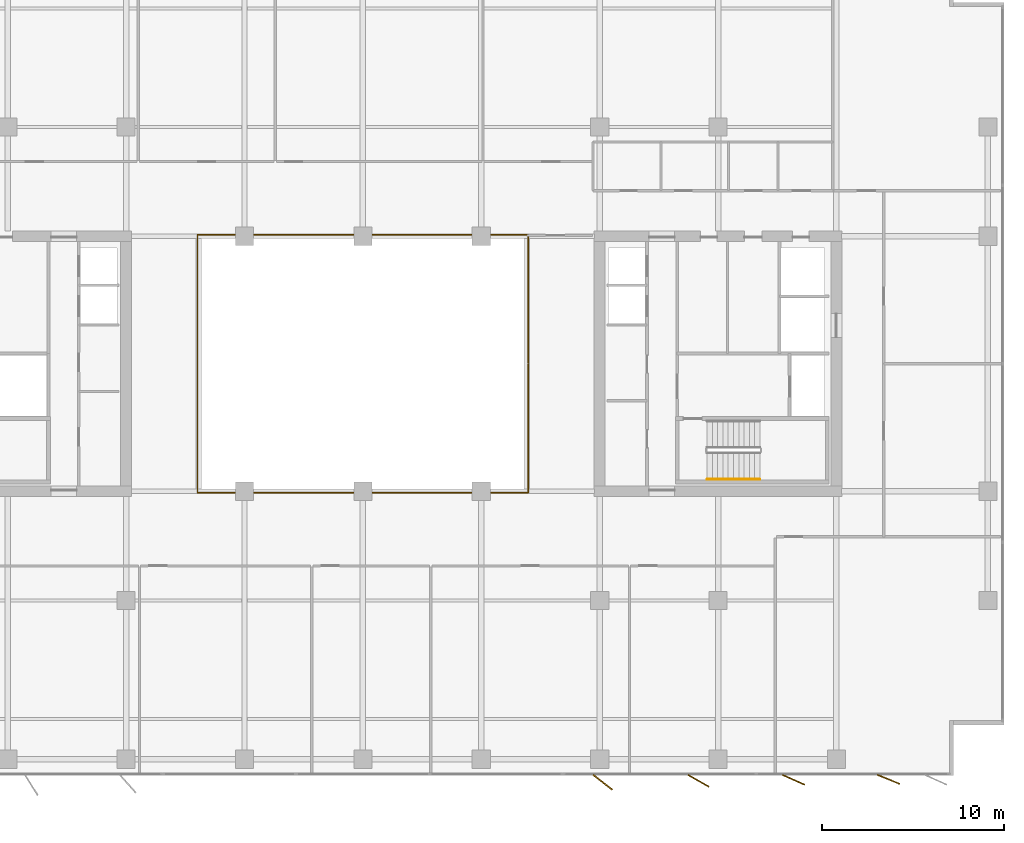
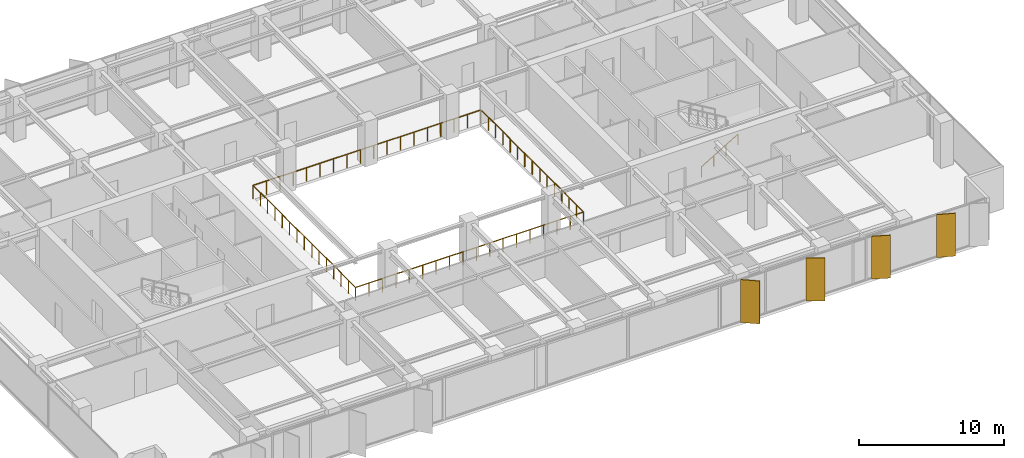
# One storey, part 20 of 22: 4 shading devices, 3 railings.
"""IFC4 building model written with IfcOpenShell, lengths in metres."""

from ifc_helpers import new_model, si_unit, direction, frame, origin, origin_2d, place, context, subcontext, project, spatial, rectangle, circle, extrude, material, layer, layer_set, type_object, element, save


model = new_model("IFC4")

# Units and contexts
model_context = context("Model", 3, precision=1e-05, world=origin(), true_north=direction((0.0, 1.0)))
body_context = subcontext(model_context, "Body", "Model", "MODEL_VIEW")
ifc_project = project(units=[si_unit("LENGTHUNIT", "METRE"), si_unit("AREAUNIT", "SQUARE_METRE"), si_unit("VOLUMEUNIT", "CUBIC_METRE"), si_unit("PLANEANGLEUNIT", "RADIAN"), si_unit("MASSUNIT", "GRAM", prefix="KILO")], contexts=[model_context])

# Site, building, storey
site_placement = place(None, origin())
site = spatial("IfcSite", under=ifc_project, at=site_placement, CompositionType="ELEMENT")
building_placement = place(site_placement, origin())
building = spatial("IfcBuilding", under=site, at=building_placement, Name="Putna Gate Headquarters", CompositionType="ELEMENT")
storey_placement = place(building_placement, frame((0.0, 0.0, 167.0)))
storey = spatial("IfcBuildingStorey", under=building, at=storey_placement, Name="L41", CompositionType="ELEMENT", Elevation=167.0)

# Railings
ifc_material_1 = material(Name="Anodised bronze and laminated glass atrium balustrade", Category="glass")
railing_type_1 = type_object("IfcRailingType", Name="RAIL-ATRIUM-GUARD-1150", PredefinedType="GUARDRAIL", material=ifc_material_1)
railing_1_placement = place(storey_placement, frame((29.919921875, 25.969970703125, 0.0)))
element("IfcRailing", 1, at=railing_1_placement, inside=storey, type_object=railing_type_1, Name="L41 Central Atrium Glazed Balustrade South", PredefinedType="GUARDRAIL", context=body_context, shape_type="SweptSolid", body=[
    extrude(circle(Radius=0.02392578125, at=origin_2d()), frame((0.0, 0.0, 1.1259765625), z_axis=(0.0, -1.0, 0.0), x_axis=(1.0, 0.0, 0.0)), (0.0, 0.0, 1.0), 7.050048828125),
    extrude(circle(Radius=0.02392578125, at=origin_2d()), frame((0.0, -7.050048828125, 1.1259765625), z_axis=(1.0, 0.0, 0.0), x_axis=(0.0, 1.0, 0.0)), (0.0, 0.0, 1.0), 18.16015625),
    extrude(circle(Radius=0.02392578125, at=origin_2d()), frame((18.16015625, -7.050048828125, 1.1259765625), z_axis=(0.0, 1.0, 0.0), x_axis=(-1.0, 0.0, 0.0)), (0.0, 0.0, 1.0), 7.050048828125),
    extrude(circle(Radius=0.02099609375, at=origin_2d()), origin(), (0.0, 0.0, 1.0), 1.101806640625),
    extrude(circle(Radius=0.02099609375, at=origin_2d()), frame((0.0, -1.007080078125, 0.0)), (0.0, 0.0, 1.0), 1.101806640625),
    extrude(circle(Radius=0.02099609375, at=origin_2d()), frame((0.0, -2.014404296875, 0.0)), (0.0, 0.0, 1.0), 1.101806640625),
    extrude(circle(Radius=0.02099609375, at=origin_2d()), frame((0.0, -3.021484375, 0.0)), (0.0, 0.0, 1.0), 1.101806640625),
    extrude(circle(Radius=0.02099609375, at=origin_2d()), frame((0.0, -4.028564453125, 0.0)), (0.0, 0.0, 1.0), 1.101806640625),
    extrude(circle(Radius=0.02099609375, at=origin_2d()), frame((0.0, -5.03564453125, 0.0)), (0.0, 0.0, 1.0), 1.101806640625),
    extrude(circle(Radius=0.02099609375, at=origin_2d()), frame((0.0, -6.04296875, 0.0)), (0.0, 0.0, 1.0), 1.101806640625),
    extrude(circle(Radius=0.02099609375, at=origin_2d()), frame((0.0, -7.050048828125, 0.0)), (0.0, 0.0, 1.0), 1.101806640625),
    extrude(circle(Radius=0.02099609375, at=origin_2d()), frame((1.068359375, -7.050048828125, 0.0)), (0.0, 0.0, 1.0), 1.101806640625),
    extrude(circle(Radius=0.02099609375, at=origin_2d()), frame((2.136474609375, -7.050048828125, 0.0)), (0.0, 0.0, 1.0), 1.101806640625),
    extrude(circle(Radius=0.02099609375, at=origin_2d()), frame((3.204833984375, -7.050048828125, 0.0)), (0.0, 0.0, 1.0), 1.101806640625),
    extrude(circle(Radius=0.02099609375, at=origin_2d()), frame((4.27294921875, -7.050048828125, 0.0)), (0.0, 0.0, 1.0), 1.101806640625),
    extrude(circle(Radius=0.02099609375, at=origin_2d()), frame((5.34130859375, -7.050048828125, 0.0)), (0.0, 0.0, 1.0), 1.101806640625),
    extrude(circle(Radius=0.02099609375, at=origin_2d()), frame((6.409423828125, -7.050048828125, 0.0)), (0.0, 0.0, 1.0), 1.101806640625),
    extrude(circle(Radius=0.02099609375, at=origin_2d()), frame((7.477783203125, -7.050048828125, 0.0)), (0.0, 0.0, 1.0), 1.101806640625),
    extrude(circle(Radius=0.02099609375, at=origin_2d()), frame((8.5458984375, -7.050048828125, 0.0)), (0.0, 0.0, 1.0), 1.101806640625),
    extrude(circle(Radius=0.02099609375, at=origin_2d()), frame((9.6142578125, -7.050048828125, 0.0)), (0.0, 0.0, 1.0), 1.101806640625),
    extrude(circle(Radius=0.02099609375, at=origin_2d()), frame((10.682373046875, -7.050048828125, 0.0)), (0.0, 0.0, 1.0), 1.101806640625),
    extrude(circle(Radius=0.02099609375, at=origin_2d()), frame((11.750732421875, -7.050048828125, 0.0)), (0.0, 0.0, 1.0), 1.101806640625),
    extrude(circle(Radius=0.02099609375, at=origin_2d()), frame((12.81884765625, -7.050048828125, 0.0)), (0.0, 0.0, 1.0), 1.101806640625),
    extrude(circle(Radius=0.02099609375, at=origin_2d()), frame((13.88720703125, -7.050048828125, 0.0)), (0.0, 0.0, 1.0), 1.101806640625),
    extrude(circle(Radius=0.02099609375, at=origin_2d()), frame((14.955322265625, -7.050048828125, 0.0)), (0.0, 0.0, 1.0), 1.101806640625),
    extrude(circle(Radius=0.02099609375, at=origin_2d()), frame((16.023681640625, -7.050048828125, 0.0)), (0.0, 0.0, 1.0), 1.101806640625),
    extrude(circle(Radius=0.02099609375, at=origin_2d()), frame((17.091796875, -7.050048828125, 0.0)), (0.0, 0.0, 1.0), 1.101806640625),
    extrude(circle(Radius=0.02099609375, at=origin_2d()), frame((18.16015625, -7.050048828125, 0.0)), (0.0, 0.0, 1.0), 1.101806640625),
    extrude(circle(Radius=0.02099609375, at=origin_2d()), frame((18.16015625, -6.04296875, 0.0)), (0.0, 0.0, 1.0), 1.101806640625),
    extrude(circle(Radius=0.02099609375, at=origin_2d()), frame((18.16015625, -5.03564453125, 0.0)), (0.0, 0.0, 1.0), 1.101806640625),
    extrude(circle(Radius=0.02099609375, at=origin_2d()), frame((18.16015625, -4.028564453125, 0.0)), (0.0, 0.0, 1.0), 1.101806640625),
    extrude(circle(Radius=0.02099609375, at=origin_2d()), frame((18.16015625, -3.021484375, 0.0)), (0.0, 0.0, 1.0), 1.101806640625),
    extrude(circle(Radius=0.02099609375, at=origin_2d()), frame((18.16015625, -2.014404296875, 0.0)), (0.0, 0.0, 1.0), 1.101806640625),
    extrude(circle(Radius=0.02099609375, at=origin_2d()), frame((18.16015625, -1.007080078125, 0.0)), (0.0, 0.0, 1.0), 1.101806640625),
    extrude(circle(Radius=0.02099609375, at=origin_2d()), frame((18.16015625, 0.0, 0.0)), (0.0, 0.0, 1.0), 1.101806640625),
])
railing_2_placement = place(storey_placement, frame((48.080078125, 26.030029296875, 0.0)))
element("IfcRailing", 2, at=railing_2_placement, inside=storey, type_object=railing_type_1, Name="L41 Central Atrium Glazed Balustrade North", PredefinedType="GUARDRAIL", context=body_context, shape_type="SweptSolid", body=[
    extrude(circle(Radius=0.02392578125, at=origin_2d()), frame((0.0, 0.0, 1.1259765625), z_axis=(0.0, 1.0, 0.0), x_axis=(-1.0, 0.0, 0.0)), (0.0, 0.0, 1.0), 7.050048828125),
    extrude(circle(Radius=0.02392578125, at=origin_2d()), frame((0.0, 7.050048828125, 1.1259765625), z_axis=(-1.0, 0.0, 0.0), x_axis=(0.0, -1.0, 0.0)), (0.0, 0.0, 1.0), 18.16015625),
    extrude(circle(Radius=0.02392578125, at=origin_2d()), frame((-18.16015625, 7.050048828125, 1.1259765625), z_axis=(0.0, -1.0, 0.0), x_axis=(1.0, 0.0, 0.0)), (0.0, 0.0, 1.0), 7.050048828125),
    extrude(circle(Radius=0.02099609375, at=origin_2d()), origin(), (0.0, 0.0, 1.0), 1.101806640625),
    extrude(circle(Radius=0.02099609375, at=origin_2d()), frame((0.0, 1.007080078125, 0.0)), (0.0, 0.0, 1.0), 1.101806640625),
    extrude(circle(Radius=0.02099609375, at=origin_2d()), frame((0.0, 2.014404296875, 0.0)), (0.0, 0.0, 1.0), 1.101806640625),
    extrude(circle(Radius=0.02099609375, at=origin_2d()), frame((0.0, 3.021484375, 0.0)), (0.0, 0.0, 1.0), 1.101806640625),
    extrude(circle(Radius=0.02099609375, at=origin_2d()), frame((0.0, 4.028564453125, 0.0)), (0.0, 0.0, 1.0), 1.101806640625),
    extrude(circle(Radius=0.02099609375, at=origin_2d()), frame((0.0, 5.03564453125, 0.0)), (0.0, 0.0, 1.0), 1.101806640625),
    extrude(circle(Radius=0.02099609375, at=origin_2d()), frame((0.0, 6.04296875, 0.0)), (0.0, 0.0, 1.0), 1.101806640625),
    extrude(circle(Radius=0.02099609375, at=origin_2d()), frame((0.0, 7.050048828125, 0.0)), (0.0, 0.0, 1.0), 1.101806640625),
    extrude(circle(Radius=0.02099609375, at=origin_2d()), frame((-1.068359375, 7.050048828125, 0.0)), (0.0, 0.0, 1.0), 1.101806640625),
    extrude(circle(Radius=0.02099609375, at=origin_2d()), frame((-2.136474609375, 7.050048828125, 0.0)), (0.0, 0.0, 1.0), 1.101806640625),
    extrude(circle(Radius=0.02099609375, at=origin_2d()), frame((-3.204833984375, 7.050048828125, 0.0)), (0.0, 0.0, 1.0), 1.101806640625),
    extrude(circle(Radius=0.02099609375, at=origin_2d()), frame((-4.27294921875, 7.050048828125, 0.0)), (0.0, 0.0, 1.0), 1.101806640625),
    extrude(circle(Radius=0.02099609375, at=origin_2d()), frame((-5.34130859375, 7.050048828125, 0.0)), (0.0, 0.0, 1.0), 1.101806640625),
    extrude(circle(Radius=0.02099609375, at=origin_2d()), frame((-6.409423828125, 7.050048828125, 0.0)), (0.0, 0.0, 1.0), 1.101806640625),
    extrude(circle(Radius=0.02099609375, at=origin_2d()), frame((-7.477783203125, 7.050048828125, 0.0)), (0.0, 0.0, 1.0), 1.101806640625),
    extrude(circle(Radius=0.02099609375, at=origin_2d()), frame((-8.5458984375, 7.050048828125, 0.0)), (0.0, 0.0, 1.0), 1.101806640625),
    extrude(circle(Radius=0.02099609375, at=origin_2d()), frame((-9.6142578125, 7.050048828125, 0.0)), (0.0, 0.0, 1.0), 1.101806640625),
    extrude(circle(Radius=0.02099609375, at=origin_2d()), frame((-10.682373046875, 7.050048828125, 0.0)), (0.0, 0.0, 1.0), 1.101806640625),
    extrude(circle(Radius=0.02099609375, at=origin_2d()), frame((-11.750732421875, 7.050048828125, 0.0)), (0.0, 0.0, 1.0), 1.101806640625),
    extrude(circle(Radius=0.02099609375, at=origin_2d()), frame((-12.81884765625, 7.050048828125, 0.0)), (0.0, 0.0, 1.0), 1.101806640625),
    extrude(circle(Radius=0.02099609375, at=origin_2d()), frame((-13.88720703125, 7.050048828125, 0.0)), (0.0, 0.0, 1.0), 1.101806640625),
    extrude(circle(Radius=0.02099609375, at=origin_2d()), frame((-14.955322265625, 7.050048828125, 0.0)), (0.0, 0.0, 1.0), 1.101806640625),
    extrude(circle(Radius=0.02099609375, at=origin_2d()), frame((-16.023681640625, 7.050048828125, 0.0)), (0.0, 0.0, 1.0), 1.101806640625),
    extrude(circle(Radius=0.02099609375, at=origin_2d()), frame((-17.091796875, 7.050048828125, 0.0)), (0.0, 0.0, 1.0), 1.101806640625),
    extrude(circle(Radius=0.02099609375, at=origin_2d()), frame((-18.16015625, 7.050048828125, 0.0)), (0.0, 0.0, 1.0), 1.101806640625),
    extrude(circle(Radius=0.02099609375, at=origin_2d()), frame((-18.16015625, 6.04296875, 0.0)), (0.0, 0.0, 1.0), 1.101806640625),
    extrude(circle(Radius=0.02099609375, at=origin_2d()), frame((-18.16015625, 5.03564453125, 0.0)), (0.0, 0.0, 1.0), 1.101806640625),
    extrude(circle(Radius=0.02099609375, at=origin_2d()), frame((-18.16015625, 4.028564453125, 0.0)), (0.0, 0.0, 1.0), 1.101806640625),
    extrude(circle(Radius=0.02099609375, at=origin_2d()), frame((-18.16015625, 3.021484375, 0.0)), (0.0, 0.0, 1.0), 1.101806640625),
    extrude(circle(Radius=0.02099609375, at=origin_2d()), frame((-18.16015625, 2.014404296875, 0.0)), (0.0, 0.0, 1.0), 1.101806640625),
    extrude(circle(Radius=0.02099609375, at=origin_2d()), frame((-18.16015625, 1.007080078125, 0.0)), (0.0, 0.0, 1.0), 1.101806640625),
    extrude(circle(Radius=0.02099609375, at=origin_2d()), frame((-18.16015625, 0.0, 0.0)), (0.0, 0.0, 1.0), 1.101806640625),
])
ifc_material_2 = material(Name="Brushed stainless steel handrail", Category="steel")
railing_type_2 = type_object("IfcRailingType", Name="RAIL-STAIR-HAND-900", PredefinedType="HANDRAIL", material=ifc_material_2)
railing_3_placement = place(storey_placement, frame((57.89990234375, 19.64990234375, 0.172607421875)))
element("IfcRailing", 3, at=railing_3_placement, inside=storey, type_object=railing_type_2, Name="L41 ST2 stair handrail 1", PredefinedType="HANDRAIL", context=body_context, shape_type="SweptSolid", body=[
    extrude(circle(Radius=0.02392578125, at=origin_2d()), frame((0.0, 0.0, 0.8759765625), z_axis=(0.859160404282, 0.0, 0.51170636083), x_axis=(0.0, 1.0, 0.0)), (0.0, 0.0, 1.0), 3.37548828125),
    extrude(circle(Radius=0.02099609375, at=origin_2d()), origin(), (0.0, 0.0, 1.0), 0.851806640625),
    extrude(circle(Radius=0.02099609375, at=origin_2d()), frame((0.966796875, 0.0, 0.57568359375)), (0.0, 0.0, 1.0), 0.851806640625),
    extrude(circle(Radius=0.02099609375, at=origin_2d()), frame((1.933349609375, 0.0, 1.151611328125)), (0.0, 0.0, 1.0), 0.851806640625),
    extrude(circle(Radius=0.02099609375, at=origin_2d()), frame((2.900146484375, 0.0, 1.727294921875)), (0.0, 0.0, 1.0), 0.851806640625),
])

# Shading devices
ifc_material_3 = material(Name="Anodised architectural bronze aluminium fin", Category="aluminium")
ifc_layer = layer(ifc_material_3, 0.06494140625)
ifc_layer_set = layer_set([ifc_layer], Name="Anodised architectural bronze aluminium fin")
shading_device_type = type_object("IfcShadingDeviceType", Name="SHADE-BRONZE-FIN-1320", PredefinedType="USERDEFINED", material=ifc_layer_set)
for number, where, z_axis, x_axis, name in (
    (4, (52.169677734375, 3.018310546875, -0.02001953125), (0.0, 0.0, 1.0), (0.787473187632, -0.616348909921, 0.0), "L41 Bronze Vertical Shading Fin S7"),
    (5, (57.423828125, 3.098876953125, -0.02001953125), (0.0, 0.0, 1.0), (0.869322458298, -0.494245347472, 0.0), "L41 Bronze Vertical Shading Fin S8"),
    (6, (62.653076171875, 3.15673828125, -0.02001953125), (0.0, 0.0, 1.0), (0.913687379856, -0.40641773078, 0.0), "L41 Bronze Vertical Shading Fin S9"),
    (7, (67.86181640625, 3.177734375, -0.02001953125), (0.0, 0.0, 1.0), (0.927183854567, -0.374606593416, 0.0), "L41 Bronze Vertical Shading Fin S10"),
):
    element("IfcShadingDevice", number, at=place(storey_placement, frame(where, z_axis=z_axis, x_axis=x_axis)), inside=storey, type_object=shading_device_type, Name=name, ObjectType="FIN", PredefinedType="USERDEFINED", context=body_context, shape_type="SweptSolid", body=[
        extrude(rectangle(XDim=1.320068359375, YDim=0.06494140625, at=origin_2d()), origin(), (0.0, 0.0, 1.0), 3.612060546875),
    ])

save(model, "model.ifc")
